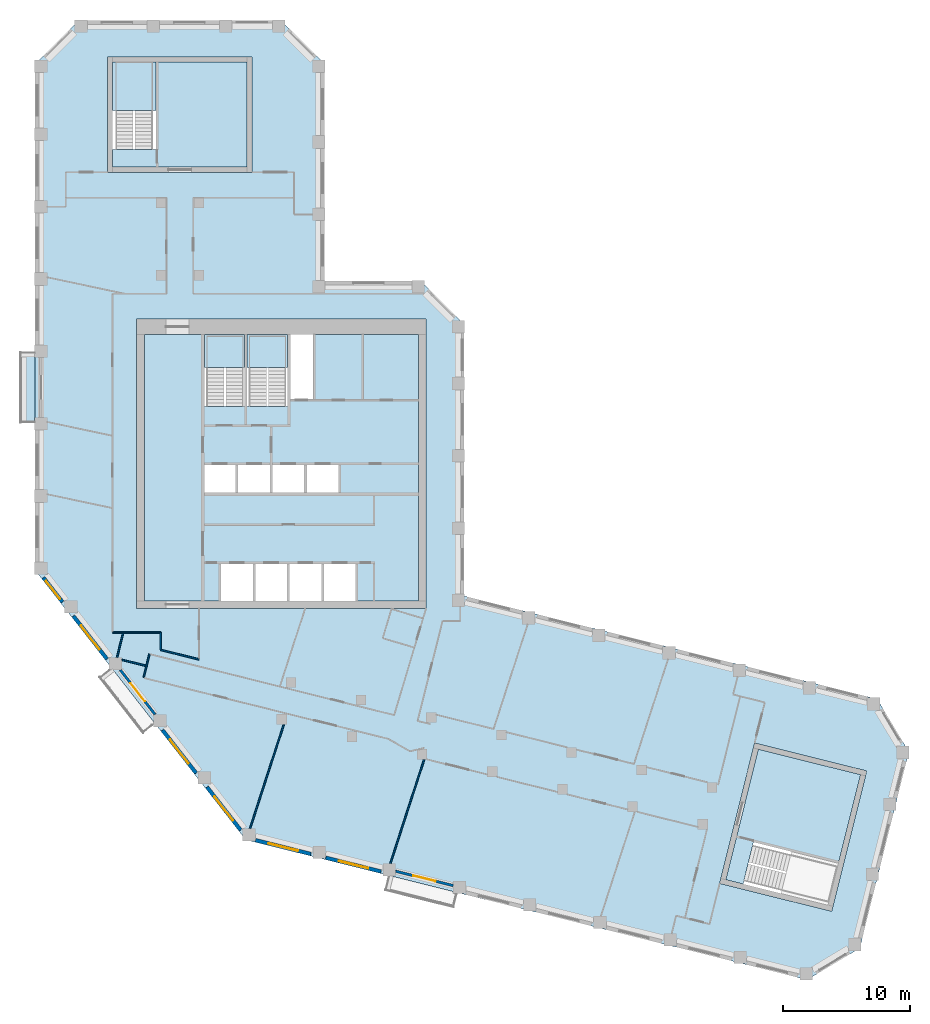
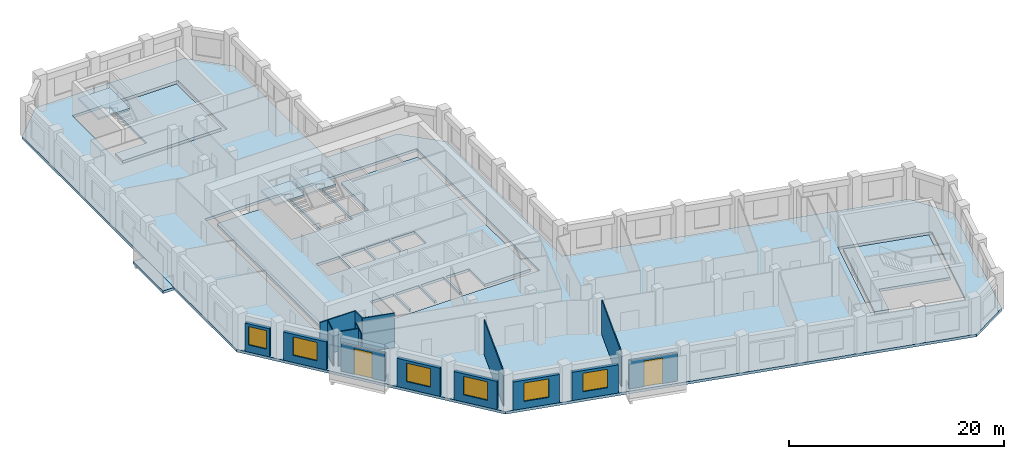
# One storey, part 2 of 9: 16 walls, 8 slabs, 6 windows, 2 doors, 8 openings, 3 elements without a shape of their own.
"""IFC4 building model written with IfcOpenShell, lengths in metres."""

import ifcopenshell
import ifcopenshell.guid

model = None  # the IFC model being written
_history = None  # IfcOwnerHistory: only IFC2X3 demands one
_inside = {}  # id of a spatial element -> (the spatial element, [elements in it])
_under = {}  # id of a project, library or spatial element -> (it, [spatial elements below it])
_declared = {}  # id of a project -> (the project, [libraries it declares])
_typed = {}  # id of a type object -> (the type object, [elements of that type])
_made_of = {}  # id of a material, layer set ... -> (it, [elements and type objects made of it])


def new_model(schema):
    """Start an empty IFC model of exactly this schema.

    Asked for "IFC4X3", IfcOpenShell would pick the latest addendum, in which some entities
    have other attributes; the version numbers below select the first issue.
    IFC2X3 requires an IfcOwnerHistory on every rooted entity: one is made here for all.
    """
    global model, _history
    if schema == "IFC4X3":
        model = ifcopenshell.file(schema_version=(4, 3, 0, 0))
    else:
        model = ifcopenshell.file(schema=schema)
    _inside.clear()
    _under.clear()
    _declared.clear()
    _typed.clear()
    _made_of.clear()
    _history = None
    if model.schema == "IFC2X3":
        org = make("IfcOrganization", Name="unknown")
        user = make(
            "IfcPersonAndOrganization",
            ThePerson=make("IfcPerson", FamilyName="unknown"),
            TheOrganization=org,
        )
        app = make(
            "IfcApplication",
            ApplicationDeveloper=org,
            Version="unknown",
            ApplicationFullName="unknown",
            ApplicationIdentifier="unknown",
        )
        _history = make(
            "IfcOwnerHistory",
            OwningUser=user,
            OwningApplication=app,
            ChangeAction="ADDED",
            CreationDate=0,
        )
    return model


def make(cls, **values):
    """One entity of the class cls with the attributes given. An attribute that is None is left unset."""
    return model.create_entity(
        cls, **{name: value for name, value in values.items() if value is not None}
    )


def rooted(cls, **values):
    """An entity with a GlobalId (a new one), such as an element, a storey or a relation."""
    return make(cls, GlobalId=ifcopenshell.guid.new(), OwnerHistory=_history, **values)


def si_unit(unit_type, name, prefix=None):
    """IfcSIUnit, for example si_unit("LENGTHUNIT", "METRE", prefix="MILLI")."""
    return make("IfcSIUnit", UnitType=unit_type, Prefix=prefix, Name=name)


def assignment(units):
    """IfcUnitAssignment: the units of a project."""
    return None if units is None else make("IfcUnitAssignment", Units=units)


def point(xyz):
    """IfcCartesianPoint."""
    return None if xyz is None else make("IfcCartesianPoint", Coordinates=xyz)


def direction(xyz):
    """IfcDirection."""
    return None if xyz is None else make("IfcDirection", DirectionRatios=xyz)


def frame(location, z_axis=None, x_axis=None):
    """IfcAxis2Placement3D, a coordinate frame: its origin and axes. An axis left out is left unset."""
    return make(
        "IfcAxis2Placement3D",
        Location=point(location),
        Axis=direction(z_axis),
        RefDirection=direction(x_axis),
    )


def frame_2d(location, x_axis=None):
    """IfcAxis2Placement2D, a coordinate frame in the plane: its origin and x axis."""
    return make(
        "IfcAxis2Placement2D", Location=point(location), RefDirection=direction(x_axis)
    )


def origin():
    """The frame at (0, 0, 0) with its axes left unset."""
    return frame((0.0, 0.0, 0.0))


def place(relative_to, where):
    """IfcLocalPlacement: puts the frame where relative to a parent placement (None: the world)."""
    return make(
        "IfcLocalPlacement", PlacementRelTo=relative_to, RelativePlacement=where
    )


def context(
    kind, dimensions, precision=None, world=None, true_north=None, identifier=None
):
    """IfcGeometricRepresentationContext, for example the 3D "Model" context."""
    return make(
        "IfcGeometricRepresentationContext",
        ContextIdentifier=identifier,
        ContextType=kind,
        CoordinateSpaceDimension=dimensions,
        Precision=precision,
        WorldCoordinateSystem=world,
        TrueNorth=true_north,
    )


def subcontext(parent, identifier, kind, view, scale=None):
    """IfcGeometricRepresentationSubContext, for example "Body" below "Model"."""
    return make(
        "IfcGeometricRepresentationSubContext",
        ContextIdentifier=identifier,
        ContextType=kind,
        ParentContext=parent,
        TargetScale=scale,
        TargetView=view,
    )


def project(units=None, contexts=None):
    """IfcProject with its units and contexts."""
    return rooted(
        "IfcProject",
        Name="project",
        RepresentationContexts=contexts,
        UnitsInContext=assignment(units),
    )


def spatial(cls, under=None, at=None, **own):
    """A site, building, storey or space (cls), placed at a placement, below another one or the project."""
    s = rooted(cls, ObjectPlacement=at, **own)
    if under is not None:
        _under.setdefault(under.id(), (under, []))[1].append(s)
    return s


def polyline(points):
    """IfcPolyline through the points."""
    return make("IfcPolyline", Points=[point(p) for p in points])


def profile(cls, at=None, kind="AREA", **sizes):
    """A parametric profile (cls). Its sizes go by their IFC names, for example OverallWidth=200.0."""
    return make(cls, ProfileType=kind, Position=at, **sizes)


def rectangle(**sizes):
    """IfcRectangleProfileDef."""
    return profile("IfcRectangleProfileDef", **sizes)


def outline(outer, holes=None, kind="AREA"):
    """IfcArbitraryClosedProfileDef: a profile drawn as a closed curve; with holes, ...WithVoids."""
    if holes is None:
        return make("IfcArbitraryClosedProfileDef", ProfileType=kind, OuterCurve=outer)
    return make(
        "IfcArbitraryProfileDefWithVoids",
        ProfileType=kind,
        OuterCurve=outer,
        InnerCurves=holes,
    )


def extrude(swept, where, along, depth):
    """IfcExtrudedAreaSolid: the profile swept, set in the frame where, extruded along a direction by depth."""
    return make(
        "IfcExtrudedAreaSolid",
        SweptArea=swept,
        Position=where,
        ExtrudedDirection=direction(along),
        Depth=depth,
    )


def shape(context_of_items, identifier, shape_type, items):
    """IfcShapeRepresentation: the items that make up one representation, for example the "Body"."""
    return make(
        "IfcShapeRepresentation",
        ContextOfItems=context_of_items,
        RepresentationIdentifier=identifier,
        RepresentationType=shape_type,
        Items=items,
    )


def material(Name=None, Category=None):
    """IfcMaterial."""
    return make("IfcMaterial", Name=Name, Category=Category)


def layer(
    of_material, thickness, ventilated=None, Name=None, Category=None, Priority=None
):
    """IfcMaterialLayer: one layer of a wall or slab, of a material (None: an air gap)."""
    return make(
        "IfcMaterialLayer",
        Material=of_material,
        LayerThickness=thickness,
        IsVentilated=ventilated,
        Name=Name,
        Category=Category,
        Priority=Priority,
    )


def layer_set(layers, Name=None):
    """IfcMaterialLayerSet."""
    return make("IfcMaterialLayerSet", MaterialLayers=layers, LayerSetName=Name)


def made_of(thing, what):
    """Note that an element or type object is made of a material, layer set ...; save() writes the relation."""
    if what is not None:
        _made_of.setdefault(what.id(), (what, []))[1].append(thing)
    return thing


def type_object(cls, material=None, **own):
    """A type object (cls), such as IfcWallType, which elements share."""
    return made_of(rooted(cls, **own), material)


def element(
    cls,
    number,
    at=None,
    inside=None,
    cuts=None,
    type_object=None,
    material=None,
    context=None,
    identifier="Body",
    shape_type=None,
    held_by="IfcProductDefinitionShape",
    body=None,
    shapes=None,
    **own,
):
    """One element of the class cls, such as IfcWall. Its Tag is "e" and its number.

    at: its placement. inside: the storey or other place that contains it. cuts: it is an
    opening in that element (IfcRelVoidsElement). A single representation is given by context,
    identifier, shape_type and body (its items); several are given by shapes. held_by: the class
    of the entity that holds the representations. save() writes the other relations.
    """
    e = rooted(cls, Tag="e%d" % number, ObjectPlacement=at, **own)
    if body is not None:
        shapes = [shape(context, identifier, shape_type, body)]
    if shapes is not None:
        e.Representation = make(held_by, Representations=shapes)
    if inside is not None:
        _inside.setdefault(inside.id(), (inside, []))[1].append(e)
    if cuts is not None:
        rooted(
            "IfcRelVoidsElement", RelatingBuildingElement=cuts, RelatedOpeningElement=e
        )
    if type_object is not None:
        _typed.setdefault(type_object.id(), (type_object, []))[1].append(e)
    return made_of(e, material)


def fill(opening, filler):
    """IfcRelFillsElement: the door or window that sits in an opening."""
    return rooted(
        "IfcRelFillsElement",
        RelatingOpeningElement=opening,
        RelatedBuildingElement=filler,
    )


def aggregate(whole, parts):
    """IfcRelAggregates: a whole, such as a stair, and the parts it consists of."""
    return rooted("IfcRelAggregates", RelatingObject=whole, RelatedObjects=parts)


def save(model, path):
    """Write the relations noted so far, then the file.

    IfcRelAggregates (storeys below a building ...), IfcRelContainedInSpatialStructure (elements
    in a storey), IfcRelDefinesByType, IfcRelAssociatesMaterial and IfcRelDeclares: one each for
    every whole, place, type object, material and project.
    """
    for whole, parts in _under.values():
        aggregate(whole, parts)
    for where, things in _inside.values():
        rooted(
            "IfcRelContainedInSpatialStructure",
            RelatedElements=things,
            RelatingStructure=where,
        )
    for kind, things in _typed.values():
        rooted("IfcRelDefinesByType", RelatedObjects=things, RelatingType=kind)
    for what, things in _made_of.values():
        rooted("IfcRelAssociatesMaterial", RelatedObjects=things, RelatingMaterial=what)
    for by, libraries in _declared.values():
        rooted("IfcRelDeclares", RelatingContext=by, RelatedDefinitions=libraries)
    model.write(path)


model = new_model("IFC4")

# Units and contexts
model_context = context("Model", 3, precision=1e-05, world=origin(), true_north=direction((0.0, 1.0)))
body_context = subcontext(model_context, "Body", "Model", "MODEL_VIEW")
ifc_project = project(units=[si_unit("LENGTHUNIT", "METRE"), si_unit("AREAUNIT", "SQUARE_METRE"), si_unit("VOLUMEUNIT", "CUBIC_METRE"), si_unit("PLANEANGLEUNIT", "RADIAN"), si_unit("MASSUNIT", "GRAM", prefix="KILO")], contexts=[model_context])

# Site, building, storey
site_placement = place(None, origin())
site = spatial("IfcSite", under=ifc_project, at=site_placement, CompositionType="ELEMENT")
building_placement = place(site_placement, origin())
building = spatial("IfcBuilding", under=site, at=building_placement, Name="Meshkara Civic Tower", CompositionType="ELEMENT")
storey_placement = place(building_placement, frame((0.0, 0.0, 331.800048828125)))
storey = spatial("IfcBuildingStorey", under=building, at=storey_placement, Name="L76", CompositionType="ELEMENT", Elevation=331.800048828125)

# Slabs
ifc_material_1 = material(Name="Concrete C40", Category="concrete")
ifc_layer_1 = layer(ifc_material_1, 0.300048828125)
ifc_layer_set_1 = layer_set([ifc_layer_1], Name="BALCONY SLAB")
slab_type_1 = type_object("IfcSlabType", Name="BALCONY SLAB", PredefinedType="FLOOR", material=ifc_layer_set_1)
slab_1_placement = place(storey_placement, frame((0.0, 0.0, -0.300048828125)))
element("IfcSlab", 1, at=slab_1_placement, inside=storey, type_object=slab_type_1, Name="Balcony slab", PredefinedType="FLOOR", context=body_context, shape_type="SweptSolid", body=[
    extrude(outline(polyline([(-1.199951171875, 28.715087890625), (-1.199951171875, 34.294921875), (-0.050048828125, 34.294921875), (-0.050048828125, 33.85498046875), (0.0, 33.85498046875), (0.0, 29.155029296875), (-0.050048828125, 29.155029296875), (-0.050048828125, 28.715087890625), (-1.199951171875, 28.715087890625)])), origin(), (0.0, 0.0, 1.0), 0.300048828125),
])
ifc_material_2 = material(Name="Concrete C40/50", Category="concrete")
ifc_layer_2 = layer(ifc_material_2, 0.300048828125)
ifc_layer_set_2 = layer_set([ifc_layer_2], Name="Core floor slab 300 C40/50")
slab_type_2 = type_object("IfcSlabType", Name="Core floor slab 300 C40/50", PredefinedType="FLOOR", material=ifc_layer_set_2)
slab_2_placement = place(storey_placement, frame((0.0, 0.0, -0.300048828125)))
element("IfcSlab", 2, at=slab_2_placement, inside=storey, type_object=slab_type_2, Name="Core floor K", PredefinedType="FLOOR", context=body_context, shape_type="SweptSolid", body=[
    extrude(outline(polyline([(8.60009765625, 35.699951171875), (13.35009765625, 35.699951171875), (13.35009765625, 30.00146484375), (16.5, 30.00146484375), (16.5, 35.699951171875), (16.699951171875, 35.699951171875), (16.699951171875, 30.00146484375), (19.89990234375, 30.00146484375), (19.89990234375, 35.699951171875), (20.10009765625, 35.699951171875), (20.10009765625, 30.574951171875), (21.925048828125, 30.574951171875), (21.925048828125, 35.699951171875), (30.199951171875, 35.699951171875), (30.199951171875, 14.699951171875), (25.25, 14.699951171875), (25.25, 17.60009765625), (22.75, 17.60009765625), (22.75, 14.699951171875), (22.550048828125, 14.699951171875), (22.550048828125, 17.60009765625), (20.050048828125, 17.60009765625), (20.050048828125, 14.699951171875), (19.85009765625, 14.699951171875), (19.85009765625, 17.60009765625), (17.35009765625, 17.60009765625), (17.35009765625, 14.699951171875), (17.14990234375, 14.699951171875), (17.14990234375, 17.60009765625), (14.64990234375, 17.60009765625), (14.64990234375, 14.699951171875), (8.60009765625, 14.699951171875), (8.60009765625, 35.699951171875)]), holes=[polyline([(13.35009765625, 23.25), (15.800048828125, 23.25), (15.800048828125, 25.39990234375), (13.35009765625, 25.39990234375), (13.35009765625, 23.25)]), polyline([(18.5, 23.25), (18.5, 25.39990234375), (16.0, 25.39990234375), (16.0, 23.25), (18.5, 23.25)]), polyline([(18.699951171875, 23.25), (21.199951171875, 23.25), (21.199951171875, 25.39990234375), (18.699951171875, 25.39990234375), (18.699951171875, 23.25)]), polyline([(23.89990234375, 23.25), (23.89990234375, 25.39990234375), (21.39990234375, 25.39990234375), (21.39990234375, 23.25), (23.89990234375, 23.25)])]), origin(), (0.0, 0.0, 1.0), 0.300048828125),
])
slab_3_placement = place(storey_placement, frame((0.0, 0.0, -0.300048828125)))
element("IfcSlab", 3, at=slab_3_placement, inside=storey, type_object=slab_type_2, Name="Core floor EA", PredefinedType="FLOOR", context=body_context, shape_type="SweptSolid", body=[
    extrude(outline(polyline([(16.699951171875, 48.8701171875), (16.699951171875, 57.169921875), (9.5, 57.169921875), (9.5, 50.271484375), (6.10009765625, 50.271484375), (6.10009765625, 48.8701171875), (16.699951171875, 48.8701171875)])), origin(), (0.0, 0.0, 1.0), 0.300048828125),
])
slab_4_placement = place(storey_placement, frame((0.0, 0.0, -0.300048828125)))
element("IfcSlab", 4, at=slab_4_placement, inside=storey, type_object=slab_type_2, Name="Core floor EB", PredefinedType="FLOOR", context=body_context, shape_type="SweptSolid", body=[
    extrude(outline(polyline([(56.989013671875, 3.002197265625), (65.04248046875, 0.994384765625), (63.30078125, -5.99169921875), (56.607177734375, -4.322998046875), (55.78466796875, -7.621826171875), (54.4248046875, -7.282958984375), (56.989013671875, 3.002197265625)])), origin(), (0.0, 0.0, 1.0), 0.300048828125),
])

# Stair, slab
ifc_material_3 = material(Name="Precast concrete C40/50", Category="concrete")
stair_type = type_object("IfcStairType", Name="Exit stair half-turn 24 risers precast", PredefinedType="HALF_TURN_STAIR", material=ifc_material_3)
stair_1_placement = place(storey_placement, origin())
stair_1 = element("IfcStair", 5, at=stair_1_placement, inside=storey, type_object=stair_type, Name="L76 exit stair 1", PredefinedType="HALF_TURN_STAIR")
ifc_material_4 = material(Name="Precast concrete C40/50", Category="concrete")
ifc_layer_3 = layer(ifc_material_4, 0.199951171875)
ifc_layer_set_3 = layer_set([ifc_layer_3], Name="Exit stair landing 200")
slab_type_3 = type_object("IfcSlabType", Name="Exit stair landing 200", PredefinedType="LANDING", material=ifc_layer_set_3)
slab_5_placement = place(storey_placement, frame((0.0, 0.0, 1.89990234375)))
slab_5 = element("IfcSlab", 6, at=slab_5_placement, type_object=slab_type_3, Name="ST1 landing 1", PredefinedType="LANDING", context=body_context, shape_type="SweptSolid", body=[
    extrude(outline(polyline([(16.5, 33.07861328125), (16.5, 35.699951171875), (13.35009765625, 35.699951171875), (13.35009765625, 33.07861328125), (16.5, 33.07861328125)])), origin(), (0.0, 0.0, 1.0), 0.199951171875),
])
aggregate(stair_1, [slab_5])

stair_2_placement = place(storey_placement, origin())
stair_2 = element("IfcStair", 7, at=stair_2_placement, inside=storey, type_object=stair_type, Name="L76 exit stair 2", PredefinedType="HALF_TURN_STAIR")
slab_6_placement = place(storey_placement, frame((0.0, 0.0, 1.89990234375)))
slab_6 = element("IfcSlab", 8, at=slab_6_placement, type_object=slab_type_3, Name="ST2 landing 1", PredefinedType="LANDING", context=body_context, shape_type="SweptSolid", body=[
    extrude(outline(polyline([(19.89990234375, 33.07861328125), (19.89990234375, 35.699951171875), (16.699951171875, 35.699951171875), (16.699951171875, 33.07861328125), (19.89990234375, 33.07861328125)])), origin(), (0.0, 0.0, 1.0), 0.199951171875),
])
aggregate(stair_2, [slab_6])

stair_3_placement = place(storey_placement, origin())
stair_3 = element("IfcStair", 9, at=stair_3_placement, inside=storey, type_object=stair_type, Name="L76 exit stair A from L65", PredefinedType="HALF_TURN_STAIR")
slab_7_placement = place(storey_placement, frame((0.0, 0.0, 1.89990234375)))
slab_7 = element("IfcSlab", 10, at=slab_7_placement, type_object=slab_type_3, Name="ESA5 landing 1", PredefinedType="LANDING", context=body_context, shape_type="SweptSolid", body=[
    extrude(outline(polyline([(9.5, 53.348388671875), (9.5, 57.169921875), (6.10009765625, 57.169921875), (6.10009765625, 53.348388671875), (9.5, 53.348388671875)])), origin(), (0.0, 0.0, 1.0), 0.199951171875),
])
aggregate(stair_3, [slab_7])

# Slab
ifc_material_5 = material(Name="Concrete C50", Category="concrete")
ifc_layer_4 = layer(ifc_material_5, 0.300048828125)
ifc_layer_set_4 = layer_set([ifc_layer_4], Name="Post-tensioned flat slab 300 C50")
slab_type_4 = type_object("IfcSlabType", Name="Post-tensioned flat slab 300 C50", PredefinedType="FLOOR", material=ifc_layer_set_4)
slab_8_placement = place(storey_placement, frame((0.0, 0.0, -0.300048828125)))
element("IfcSlab", 11, at=slab_8_placement, inside=storey, type_object=slab_type_4, Name="Post-tensioned flat slab L76", PredefinedType="FLOOR", context=body_context, shape_type="SweptSolid", body=[
    extrude(outline(polyline([(64.98291015625, -12.677001953125), (60.837890625, -15.1689453125), (16.592041015625, -4.136962890625), (0.0, 17.10009765625), (0.0, 57.0), (3.419921875, 60.419921875), (19.3798828125, 60.419921875), (22.800048828125, 57.0), (22.800048828125, 39.89990234375), (30.3798828125, 39.89990234375), (33.800048828125, 36.47998046875), (33.800048828125, 15.071044921875), (66.35302734375, 6.9541015625), (68.843994140625, 2.80810546875), (64.98291015625, -12.677001953125)]), holes=[polyline([(62.77001953125, -9.77587890625), (65.527099609375, 1.285888671875), (56.697998046875, 3.487060546875), (53.93994140625, -7.573974609375), (62.77001953125, -9.77587890625)]), polyline([(8.0, 14.10009765625), (30.800048828125, 14.10009765625), (30.800048828125, 36.89990234375), (8.0, 36.89990234375), (8.0, 14.10009765625)]), polyline([(5.699951171875, 57.570068359375), (5.699951171875, 48.469970703125), (17.10009765625, 48.469970703125), (17.10009765625, 57.570068359375), (5.699951171875, 57.570068359375)])]), origin(), (0.0, 0.0, 1.0), 0.300048828125),
])

# Walls
ifc_material_6 = material(Name="Corridor wall 100")
ifc_layer_5 = layer(ifc_material_6, 0.10009765625)
ifc_layer_set_5 = layer_set([ifc_layer_5], Name="Corridor wall 100")
wall_type_1 = type_object("IfcWallType", Name="Corridor wall 100", PredefinedType="PARTITIONING", material=ifc_layer_set_5)
wall_1_placement = place(storey_placement, frame((6.10009765625, 12.199951171875, 0.0), z_axis=(0.0, 0.0, 1.0), x_axis=(1.0, 0.0, 0.0)))
element("IfcWall", 12, at=wall_1_placement, inside=storey, type_object=wall_type_1, Name="L76-W005", PredefinedType="PARTITIONING", context=body_context, shape_type="SweptSolid", body=[
    extrude(rectangle(XDim=3.7998046875, YDim=0.10009765625, at=frame_2d((1.89990234375, 0.0))), origin(), (0.0, 0.0, 1.0), 3.89990234375),
])
wall_2_placement = place(storey_placement, frame((9.001953125, 10.4990234375, 0.0), z_axis=(0.0, 0.0, 1.0), x_axis=(-0.241709519716, -0.970348652845, 0.0)))
element("IfcWall", 13, at=wall_2_placement, inside=storey, type_object=wall_type_1, Name="L76-W008", PredefinedType="PARTITIONING", context=body_context, shape_type="SweptSolid", body=[
    extrude(rectangle(XDim=1.877685546875, YDim=0.10009765625, at=frame_2d((0.93896484375, 0.0))), origin(), (0.0, 0.0, 1.0), 3.89990234375),
])
wall_3_placement = place(storey_placement, frame((9.89990234375, 10.825927734375, 0.0), z_axis=(0.0, 0.0, 1.0), x_axis=(0.970290953223, -0.241941038466, 0.0)))
element("IfcWall", 14, at=wall_3_placement, inside=storey, type_object=wall_type_1, Name="L76-W009", PredefinedType="PARTITIONING", context=body_context, shape_type="SweptSolid", body=[
    extrude(rectangle(XDim=3.091796875, YDim=0.10009765625, at=frame_2d((1.5458984375, 0.0))), origin(), (0.0, 0.0, 1.0), 3.89990234375),
])
wall_4_placement = place(storey_placement, frame((9.89990234375, 12.199951171875, 0.0), z_axis=(0.0, 0.0, 1.0), x_axis=(0.0, -1.0, 0.0)))
element("IfcWall", 15, at=wall_4_placement, inside=storey, type_object=wall_type_1, Name="L76-W010", PredefinedType="PARTITIONING", context=body_context, shape_type="SweptSolid", body=[
    extrude(rectangle(XDim=1.3740234375, YDim=0.10009765625, at=frame_2d((0.68701171875, 0.0))), origin(), (0.0, 0.0, 1.0), 3.89990234375),
])

# Wall, opening, window
ifc_material_7 = material(Name="Insulated infill panel with bronze anodised aluminium cladding", Category="aluminium")
ifc_layer_6 = layer(ifc_material_7, 0.300048828125)
ifc_layer_set_6 = layer_set([ifc_layer_6], Name="EXTERNAL INFILL WALL 300")
wall_type_2 = type_object("IfcWallType", Name="EXTERNAL INFILL WALL 300", PredefinedType="SOLIDWALL", material=ifc_layer_set_6)
wall_5_placement = place(storey_placement, frame((0.64599609375, 16.51708984375, 0.0), z_axis=(0.0, 0.0, 1.0), x_axis=(0.615610986717, -0.788050197026, 0.0)))
wall_5 = element("IfcWall", 16, at=wall_5_placement, inside=storey, type_object=wall_type_2, Name="External wall", PredefinedType="SOLIDWALL", context=body_context, shape_type="SweptSolid", body=[
    extrude(rectangle(XDim=2.4365234375, YDim=0.300048828125, at=frame_2d((1.21826171875, 0.0))), origin(), (0.0, 0.0, 1.0), 3.199951171875),
])
opening_1_placement = place(wall_5_placement, frame((0.318115234375, 0.0, 0.800048828125)))
opening_1 = element("IfcOpeningElement", 17, at=opening_1_placement, cuts=wall_5, Name="Opening W9", PredefinedType="OPENING", context=body_context, shape_type="SweptSolid", body=[
    extrude(rectangle(XDim=1.800048828125, YDim=2.10009765625, at=frame_2d((0.89990234375, 1.050048828125))), frame((0.0, 0.159912109375, 0.0), z_axis=(0.0, -1.0, 0.0), x_axis=(1.0, 0.0, 0.0)), (0.0, 0.0, 1.0), 0.320068359375),
])
ifc_material_8 = material(Name="Tinted double glazing", Category="glass")
window_type_1 = type_object("IfcWindowType", Name="WINDOW 1800x2100", PartitioningType="DOUBLE_PANEL_VERTICAL", PredefinedType="WINDOW", material=ifc_material_8)
window_1_placement = place(opening_1_placement, origin())
window_1 = element("IfcWindow", 18, at=window_1_placement, inside=storey, type_object=window_type_1, Name="Window", OverallHeight=2.10009765625, OverallWidth=1.800048828125, PartitioningType="DOUBLE_PANEL_VERTICAL", PredefinedType="WINDOW", context=body_context, shape_type="SweptSolid", body=[
    extrude(rectangle(XDim=1.800048828125, YDim=2.10009765625, at=frame_2d((0.89990234375, 1.050048828125))), frame((0.0, 0.030029296875, 0.0), z_axis=(0.0, -1.0, 0.0), x_axis=(1.0, 0.0, 0.0)), (0.0, 0.0, 1.0), 0.06005859375),
])
fill(opening_1, window_1)

wall_6_placement = place(storey_placement, frame((3.010009765625, 13.490966796875, 0.0), z_axis=(0.0, 0.0, 1.0), x_axis=(0.615713519567, -0.787970089421, 0.0)))
wall_6 = element("IfcWall", 19, at=wall_6_placement, inside=storey, type_object=wall_type_2, Name="External wall", PredefinedType="SOLIDWALL", context=body_context, shape_type="SweptSolid", body=[
    extrude(rectangle(XDim=4.2958984375, YDim=0.300048828125, at=frame_2d((2.14794921875, 0.0))), origin(), (0.0, 0.0, 1.0), 3.199951171875),
])
opening_2_placement = place(wall_6_placement, frame((0.947998046875, 0.0, 0.800048828125)))
opening_2 = element("IfcOpeningElement", 20, at=opening_2_placement, cuts=wall_6, Name="Opening W7", PredefinedType="OPENING", context=body_context, shape_type="SweptSolid", body=[
    extrude(rectangle(XDim=2.39990234375, YDim=2.10009765625, at=frame_2d((1.199951171875, 1.050048828125))), frame((0.0, 0.159912109375, 0.0), z_axis=(0.0, -1.0, 0.0), x_axis=(1.0, 0.0, 0.0)), (0.0, 0.0, 1.0), 0.320068359375),
])
ifc_material_9 = material(Name="Tinted double glazing", Category="glass")
window_type_2 = type_object("IfcWindowType", Name="WINDOW 2400x2100", PartitioningType="DOUBLE_PANEL_VERTICAL", PredefinedType="WINDOW", material=ifc_material_9)
window_2_placement = place(opening_2_placement, origin())
window_2 = element("IfcWindow", 21, at=window_2_placement, inside=storey, type_object=window_type_2, Name="Window", OverallHeight=2.10009765625, OverallWidth=2.39990234375, PartitioningType="DOUBLE_PANEL_VERTICAL", PredefinedType="WINDOW", context=body_context, shape_type="SweptSolid", body=[
    extrude(rectangle(XDim=2.39990234375, YDim=2.10009765625, at=frame_2d((1.199951171875, 1.050048828125))), frame((0.0, 0.030029296875, 0.0), z_axis=(0.0, -1.0, 0.0), x_axis=(1.0, 0.0, 0.0)), (0.0, 0.0, 1.0), 0.06005859375),
])
fill(opening_2, window_2)

wall_7_placement = place(storey_placement, frame((10.029052734375, 4.507080078125, 0.0), z_axis=(0.0, 0.0, 1.0), x_axis=(0.615572343689, -0.788080382756, 0.0)))
wall_7 = element("IfcWall", 22, at=wall_7_placement, inside=storey, type_object=wall_type_2, Name="External wall", PredefinedType="SOLIDWALL", context=body_context, shape_type="SweptSolid", body=[
    extrude(rectangle(XDim=4.295166015625, YDim=0.300048828125, at=frame_2d((2.1474609375, 0.0))), origin(), (0.0, 0.0, 1.0), 3.199951171875),
])
opening_3_placement = place(wall_7_placement, frame((0.947998046875, 0.0, 0.800048828125)))
opening_3 = element("IfcOpeningElement", 23, at=opening_3_placement, cuts=wall_7, Name="Opening W7", PredefinedType="OPENING", context=body_context, shape_type="SweptSolid", body=[
    extrude(rectangle(XDim=2.39990234375, YDim=2.10009765625, at=frame_2d((1.199951171875, 1.050048828125))), frame((0.0, 0.159912109375, 0.0), z_axis=(0.0, -1.0, 0.0), x_axis=(1.0, 0.0, 0.0)), (0.0, 0.0, 1.0), 0.320068359375),
])
window_3_placement = place(opening_3_placement, origin())
window_3 = element("IfcWindow", 24, at=window_3_placement, inside=storey, type_object=window_type_2, Name="Window", OverallHeight=2.10009765625, OverallWidth=2.39990234375, PartitioningType="DOUBLE_PANEL_VERTICAL", PredefinedType="WINDOW", context=body_context, shape_type="SweptSolid", body=[
    extrude(rectangle(XDim=2.39990234375, YDim=2.10009765625, at=frame_2d((1.199951171875, 1.050048828125))), frame((0.0, 0.030029296875, 0.0), z_axis=(0.0, -1.0, 0.0), x_axis=(1.0, 0.0, 0.0)), (0.0, 0.0, 1.0), 0.06005859375),
])
fill(opening_3, window_3)

wall_8_placement = place(storey_placement, frame((13.5380859375, 0.01611328125, 0.0), z_axis=(0.0, 0.0, 1.0), x_axis=(0.615713519567, -0.787970089421, 0.0)))
wall_8 = element("IfcWall", 25, at=wall_8_placement, inside=storey, type_object=wall_type_2, Name="External wall", PredefinedType="SOLIDWALL", context=body_context, shape_type="SweptSolid", body=[
    extrude(rectangle(XDim=4.2958984375, YDim=0.300048828125, at=frame_2d((2.14794921875, 0.0))), origin(), (0.0, 0.0, 1.0), 3.199951171875),
])
opening_4_placement = place(wall_8_placement, frame((0.947998046875, 0.0, 0.800048828125)))
opening_4 = element("IfcOpeningElement", 26, at=opening_4_placement, cuts=wall_8, Name="Opening W7", PredefinedType="OPENING", context=body_context, shape_type="SweptSolid", body=[
    extrude(rectangle(XDim=2.39990234375, YDim=2.10009765625, at=frame_2d((1.199951171875, 1.050048828125))), frame((0.0, 0.159912109375, 0.0), z_axis=(0.0, -1.0, 0.0), x_axis=(1.0, 0.0, 0.0)), (0.0, 0.0, 1.0), 0.320068359375),
])
window_4_placement = place(opening_4_placement, origin())
window_4 = element("IfcWindow", 27, at=window_4_placement, inside=storey, type_object=window_type_2, Name="Window", OverallHeight=2.10009765625, OverallWidth=2.39990234375, PartitioningType="DOUBLE_PANEL_VERTICAL", PredefinedType="WINDOW", context=body_context, shape_type="SweptSolid", body=[
    extrude(rectangle(XDim=2.39990234375, YDim=2.10009765625, at=frame_2d((1.199951171875, 1.050048828125))), frame((0.0, 0.030029296875, 0.0), z_axis=(0.0, -1.0, 0.0), x_axis=(1.0, 0.0, 0.0)), (0.0, 0.0, 1.0), 0.06005859375),
])
fill(opening_4, window_4)

wall_9_placement = place(storey_placement, frame((17.366943359375, -4.176025390625, 0.0), z_axis=(0.0, 0.0, 1.0), x_axis=(0.970327846266, -0.241793032904, 0.0)))
wall_9 = element("IfcWall", 28, at=wall_9_placement, inside=storey, type_object=wall_type_2, Name="External wall", PredefinedType="SOLIDWALL", context=body_context, shape_type="SweptSolid", body=[
    extrude(rectangle(XDim=4.487060546875, YDim=0.300048828125, at=frame_2d((2.24365234375, 0.0))), origin(), (0.0, 0.0, 1.0), 3.199951171875),
])
opening_5_placement = place(wall_9_placement, frame((1.0439453125, 0.0, 0.800048828125)))
opening_5 = element("IfcOpeningElement", 29, at=opening_5_placement, cuts=wall_9, Name="Opening W7", PredefinedType="OPENING", context=body_context, shape_type="SweptSolid", body=[
    extrude(rectangle(XDim=2.39990234375, YDim=2.10009765625, at=frame_2d((1.199951171875, 1.050048828125))), frame((0.0, 0.159912109375, 0.0), z_axis=(0.0, -1.0, 0.0), x_axis=(1.0, 0.0, 0.0)), (0.0, 0.0, 1.0), 0.320068359375),
])
window_5_placement = place(opening_5_placement, origin())
window_5 = element("IfcWindow", 30, at=window_5_placement, inside=storey, type_object=window_type_2, Name="Window", OverallHeight=2.10009765625, OverallWidth=2.39990234375, PartitioningType="DOUBLE_PANEL_VERTICAL", PredefinedType="WINDOW", context=body_context, shape_type="SweptSolid", body=[
    extrude(rectangle(XDim=2.39990234375, YDim=2.10009765625, at=frame_2d((1.199951171875, 1.050048828125))), frame((0.0, 0.030029296875, 0.0), z_axis=(0.0, -1.0, 0.0), x_axis=(1.0, 0.0, 0.0)), (0.0, 0.0, 1.0), 0.06005859375),
])
fill(opening_5, window_5)

wall_10_placement = place(storey_placement, frame((22.89794921875, -5.554931640625, 0.0), z_axis=(0.0, 0.0, 1.0), x_axis=(0.970315118421, -0.24184410467, 0.0)))
wall_10 = element("IfcWall", 31, at=wall_10_placement, inside=storey, type_object=wall_type_2, Name="External wall", PredefinedType="SOLIDWALL", context=body_context, shape_type="SweptSolid", body=[
    extrude(rectangle(XDim=4.486083984375, YDim=0.300048828125, at=frame_2d((2.2431640625, 0.0))), origin(), (0.0, 0.0, 1.0), 3.199951171875),
])
opening_6_placement = place(wall_10_placement, frame((1.0439453125, 0.0, 0.800048828125)))
opening_6 = element("IfcOpeningElement", 32, at=opening_6_placement, cuts=wall_10, Name="Opening W7", PredefinedType="OPENING", context=body_context, shape_type="SweptSolid", body=[
    extrude(rectangle(XDim=2.39990234375, YDim=2.10009765625, at=frame_2d((1.199951171875, 1.050048828125))), frame((0.0, 0.159912109375, 0.0), z_axis=(0.0, -1.0, 0.0), x_axis=(1.0, 0.0, 0.0)), (0.0, 0.0, 1.0), 0.320068359375),
])
window_6_placement = place(opening_6_placement, origin())
window_6 = element("IfcWindow", 33, at=window_6_placement, inside=storey, type_object=window_type_2, Name="Window", OverallHeight=2.10009765625, OverallWidth=2.39990234375, PartitioningType="DOUBLE_PANEL_VERTICAL", PredefinedType="WINDOW", context=body_context, shape_type="SweptSolid", body=[
    extrude(rectangle(XDim=2.39990234375, YDim=2.10009765625, at=frame_2d((1.199951171875, 1.050048828125))), frame((0.0, 0.030029296875, 0.0), z_axis=(0.0, -1.0, 0.0), x_axis=(1.0, 0.0, 0.0)), (0.0, 0.0, 1.0), 0.06005859375),
])
fill(opening_6, window_6)

# Wall, opening, door
ifc_material_10 = material(Name="Insulated infill panel with bronze anodised aluminium cladding", Category="aluminium")
ifc_layer_7 = layer(ifc_material_10, 0.199951171875)
ifc_layer_set_7 = layer_set([ifc_layer_7], Name="LOGGIA BACK WALL 200")
wall_type_3 = type_object("IfcWallType", Name="LOGGIA BACK WALL 200", PredefinedType="SOLIDWALL", material=ifc_layer_set_7)
wall_11_placement = place(storey_placement, frame((6.715087890625, 9.237060546875, 0.0), z_axis=(0.0, 0.0, 1.0), x_axis=(0.615465445194, -0.788163869873, 0.0)))
wall_11 = element("IfcWall", 34, at=wall_11_placement, inside=storey, type_object=wall_type_3, Name="Loggia wall", PredefinedType="SOLIDWALL", context=body_context, shape_type="SweptSolid", body=[
    extrude(rectangle(XDim=4.430419921875, YDim=0.199951171875, at=frame_2d((2.21533203125, 0.0))), origin(), (0.0, 0.0, 1.0), 3.199951171875),
])
opening_7_placement = place(wall_11_placement, frame((1.31494140625, 0.0, 0.0)))
opening_7 = element("IfcOpeningElement", 35, at=opening_7_placement, cuts=wall_11, Name="Opening L76-L002", PredefinedType="OPENING", context=body_context, shape_type="SweptSolid", body=[
    extrude(rectangle(XDim=1.800048828125, YDim=2.89990234375, at=frame_2d((0.89990234375, 1.449951171875))), frame((0.0, 0.10986328125, 0.0), z_axis=(0.0, -1.0, 0.0), x_axis=(1.0, 0.0, 0.0)), (0.0, 0.0, 1.0), 0.219970703125),
])
ifc_material_11 = material(Name="Tinted double glazing", Category="glass")
door_type = type_object("IfcDoorType", Name="LOGGIA DOOR 1800x2900", OperationType="DOUBLE_DOOR_SINGLE_SWING", PredefinedType="DOOR", material=ifc_material_11)
door_1_placement = place(opening_7_placement, origin())
door_1 = element("IfcDoor", 36, at=door_1_placement, inside=storey, type_object=door_type, Name="L76-L002", OperationType="DOUBLE_DOOR_SINGLE_SWING", OverallHeight=2.89990234375, OverallWidth=1.800048828125, PredefinedType="DOOR", context=body_context, shape_type="SweptSolid", body=[
    extrude(rectangle(XDim=1.800048828125, YDim=2.89990234375, at=frame_2d((0.89990234375, 1.449951171875))), frame((0.0, 0.02490234375, 0.0), z_axis=(0.0, -1.0, 0.0), x_axis=(1.0, 0.0, 0.0)), (0.0, 0.0, 1.0), 0.050048828125),
])
fill(opening_7, door_1)

wall_12_placement = place(storey_placement, frame((28.412109375, -6.6201171875, 0.0), z_axis=(0.0, 0.0, 1.0), x_axis=(0.970286870015, -0.241957413354, 0.0)))
wall_12 = element("IfcWall", 37, at=wall_12_placement, inside=storey, type_object=wall_type_3, Name="Loggia wall", PredefinedType="SOLIDWALL", context=body_context, shape_type="SweptSolid", body=[
    extrude(rectangle(XDim=4.669677734375, YDim=0.199951171875, at=frame_2d((2.3349609375, 0.0))), origin(), (0.0, 0.0, 1.0), 3.199951171875),
])
opening_8_placement = place(wall_12_placement, frame((1.43408203125, 0.0, 0.0)))
opening_8 = element("IfcOpeningElement", 38, at=opening_8_placement, cuts=wall_12, Name="Opening L76-L003", PredefinedType="OPENING", context=body_context, shape_type="SweptSolid", body=[
    extrude(rectangle(XDim=1.800048828125, YDim=2.89990234375, at=frame_2d((0.89990234375, 1.449951171875))), frame((0.0, 0.10986328125, 0.0), z_axis=(0.0, -1.0, 0.0), x_axis=(1.0, 0.0, 0.0)), (0.0, 0.0, 1.0), 0.219970703125),
])
door_2_placement = place(opening_8_placement, origin())
door_2 = element("IfcDoor", 39, at=door_2_placement, inside=storey, type_object=door_type, Name="L76-L003", OperationType="DOUBLE_DOOR_SINGLE_SWING", OverallHeight=2.89990234375, OverallWidth=1.800048828125, PredefinedType="DOOR", context=body_context, shape_type="SweptSolid", body=[
    extrude(rectangle(XDim=1.800048828125, YDim=2.89990234375, at=frame_2d((0.89990234375, 1.449951171875))), frame((0.0, 0.02490234375, 0.0), z_axis=(0.0, -1.0, 0.0), x_axis=(1.0, 0.0, 0.0)), (0.0, 0.0, 1.0), 0.050048828125),
])
fill(opening_8, door_2)

# Walls
ifc_material_12 = material(Name="Partition 100")
ifc_layer_8 = layer(ifc_material_12, 0.10009765625)
ifc_layer_set_8 = layer_set([ifc_layer_8], Name="Partition 100")
wall_type_4 = type_object("IfcWallType", Name="Partition 100", PredefinedType="PARTITIONING", material=ifc_layer_set_8)
wall_13_placement = place(storey_placement, frame((6.922119140625, 12.137939453125, 0.0), z_axis=(0.0, 0.0, 1.0), x_axis=(-0.242476987996, -0.970157157523, 0.0)))
element("IfcWall", 40, at=wall_13_placement, inside=storey, type_object=wall_type_4, Name="L76-W045", PredefinedType="PARTITIONING", context=body_context, shape_type="SweptSolid", body=[
    extrude(rectangle(XDim=1.95947265625, YDim=0.10009765625, at=frame_2d((0.979736328125, 0.0))), origin(), (0.0, 0.0, 1.0), 3.89990234375),
])
wall_14_placement = place(storey_placement, frame((8.719970703125, 9.574951171875, 0.0), z_axis=(0.0, 0.0, 1.0), x_axis=(-0.970274576003, 0.242006708918, 0.0)))
element("IfcWall", 41, at=wall_14_placement, inside=storey, type_object=wall_type_4, Name="L76-W047", PredefinedType="PARTITIONING", context=body_context, shape_type="SweptSolid", body=[
    extrude(rectangle(XDim=1.955078125, YDim=0.10009765625, at=frame_2d((0.9775390625, 0.0))), origin(), (0.0, 0.0, 1.0), 3.89990234375),
])
for number, where, z_axis, x_axis, name in (
    (42, (16.929931640625, -3.238037109375, 0.0), (0.0, 0.0, 1.0), (0.308953497737, 0.95107714526, 0.0), "L76-W048"),
    (43, (27.990966796875, -5.99609375, 0.0), (0.0, 0.0, 1.0), (0.308953497737, 0.95107714526, 0.0), "L76-W053"),
):
    element("IfcWall", number, at=place(storey_placement, frame(where, z_axis=z_axis, x_axis=x_axis)), inside=storey, type_object=wall_type_4, Name=name, PredefinedType="PARTITIONING", context=body_context, shape_type="SweptSolid", body=[
        extrude(rectangle(XDim=8.61962890625, YDim=0.10009765625, at=frame_2d((4.309814453125, 0.0))), origin(), (0.0, 0.0, 1.0), 3.89990234375),
    ])

save(model, "model.ifc")
